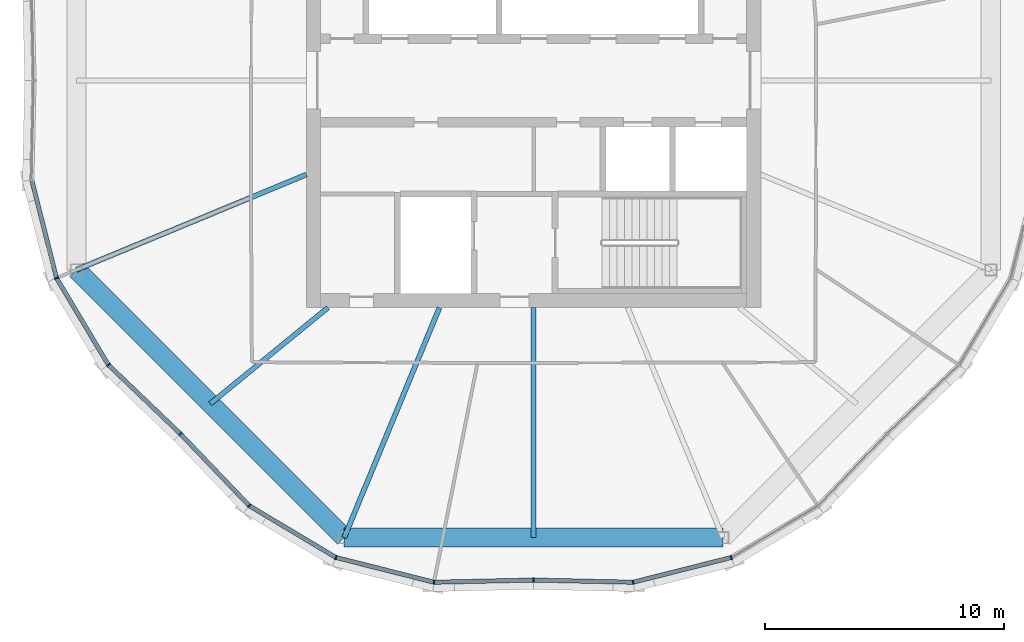
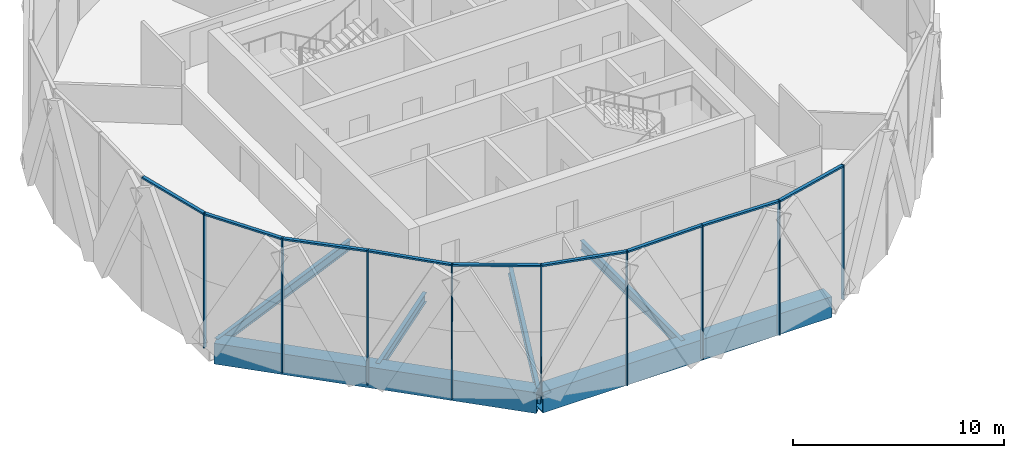
# One storey, part 3 of 26: 18 members, 6 beams, 3 elements without a shape of their own.
"""IFC4 building model written with IfcOpenShell, lengths in metres."""

from ifc_helpers import new_model, si_unit, direction, frame, origin, origin_2d, place, context, subcontext, project, spatial, rectangle, hollow_rectangle, i_section, extrude, material, material_profile, profile_set, type_object, element, aggregate, save


model = new_model("IFC4")

# Units and contexts
model_context = context("Model", 3, precision=1e-05, world=origin(), true_north=direction((0.0, 1.0)))
body_context = subcontext(model_context, "Body", "Model", "MODEL_VIEW")
ifc_project = project(units=[si_unit("LENGTHUNIT", "METRE"), si_unit("AREAUNIT", "SQUARE_METRE"), si_unit("VOLUMEUNIT", "CUBIC_METRE"), si_unit("PLANEANGLEUNIT", "RADIAN"), si_unit("MASSUNIT", "GRAM", prefix="KILO")], contexts=[model_context])

# Site, building, storey
site_placement = place(None, origin())
site = spatial("IfcSite", under=ifc_project, at=site_placement, CompositionType="ELEMENT")
building_placement = place(site_placement, origin())
building = spatial("IfcBuilding", under=site, at=building_placement, Name="Ogive Gate Towers", CompositionType="ELEMENT")
storey_placement = place(building_placement, frame((0.0, 0.0, 208.5)))
storey = spatial("IfcBuildingStorey", under=building, at=storey_placement, Name="L50", CompositionType="ELEMENT", Elevation=208.5)

# Beams
ifc_material_1 = material(Name="Steel SM460", Category="steel")
ifc_material_profile_1 = material_profile(ifc_material_1, hollow_rectangle(XDim=0.800048828125, YDim=1.199951171875, WallThickness=0.050048828125, at=origin_2d()), Name="BX 1200x800x50")
ifc_profile_set_1 = profile_set([ifc_material_profile_1], Name="Steel SM460")
beam_type_1 = type_object("IfcBeamType", Name="Edge girder BX 1200x800x50", PredefinedType="BEAM", material=ifc_profile_set_1)
beam_1_placement = place(storey_placement, frame((-55.114990234375, -7.917724609375, -0.89990234375), z_axis=(0.707106781187, -0.707106781187, 0.0), x_axis=(0.707106781187, 0.707106781187, 0.0)))
element("IfcBeam", 1, at=beam_1_placement, inside=storey, type_object=beam_type_1, Name="T1/L50/SBM017", PredefinedType="BEAM", context=body_context, shape_type="SweptSolid", body=[
    extrude(hollow_rectangle(XDim=0.800048828125, YDim=1.199951171875, WallThickness=0.050048828125, at=origin_2d()), origin(), (0.0, 0.0, 1.0), 15.835205078125),
])
beam_2_placement = place(storey_placement, frame((-43.917724609375, -19.114990234375, -0.89990234375), z_axis=(1.0, 0.0, 0.0), x_axis=(0.0, 1.0, 0.0)))
element("IfcBeam", 2, at=beam_2_placement, inside=storey, type_object=beam_type_1, Name="T1/L50/SBM018", PredefinedType="BEAM", context=body_context, shape_type="SweptSolid", body=[
    extrude(hollow_rectangle(XDim=0.800048828125, YDim=1.199951171875, WallThickness=0.050048828125, at=origin_2d()), origin(), (0.0, 0.0, 1.0), 15.83544921875),
])
ifc_material_2 = material(Name="Steel SM355", Category="steel")
ifc_material_profile_2 = material_profile(ifc_material_2, i_section(OverallWidth=0.2099609375, OverallDepth=0.550048828125, WebThickness=0.010986328125, FlangeThickness=0.01708984375, FilletRadius=0.02392578125, at=origin_2d()), Name="IPE 550")
ifc_profile_set_2 = profile_set([ifc_material_profile_2], Name="Steel SM355")
beam_type_2 = type_object("IfcBeamType", Name="Radial floor beam IPE 550", PredefinedType="BEAM", material=ifc_profile_set_2)
beam_3_placement = place(storey_placement, frame((-45.5, -3.93505859375, -0.574951171875), z_axis=(-0.92387930631, -0.382683978464, 0.0), x_axis=(0.382683978464, -0.92387930631, 0.0)))
element("IfcBeam", 3, at=beam_3_placement, inside=storey, type_object=beam_type_2, Name="T1/L50/SBM001", PredefinedType="BEAM", context=body_context, shape_type="SweptSolid", body=[
    extrude(i_section(OverallWidth=0.2099609375, OverallDepth=0.550048828125, WebThickness=0.010986328125, FlangeThickness=0.01708984375, FilletRadius=0.02392578125, at=origin_2d()), origin(), (0.0, 0.0, 1.0), 10.4072265625),
])
beam_4_placement = place(storey_placement, frame((-44.60009765625, -9.5, -0.574951171875), z_axis=(-0.77442315148, -0.632667987535, 0.0), x_axis=(0.632667987535, -0.77442315148, 0.0)))
element("IfcBeam", 4, at=beam_4_placement, inside=storey, type_object=beam_type_2, Name="T1/L50/SBM002", PredefinedType="BEAM", context=body_context, shape_type="SweptSolid", body=[
    extrude(i_section(OverallWidth=0.2099609375, OverallDepth=0.550048828125, WebThickness=0.010986328125, FlangeThickness=0.01708984375, FilletRadius=0.02392578125, at=origin_2d()), origin(), (0.0, 0.0, 1.0), 6.348388671875),
])
beam_5_placement = place(storey_placement, frame((-39.93505859375, -9.5, -0.574951171875), z_axis=(-0.382683978464, -0.92387930631, 0.0), x_axis=(0.92387930631, -0.382683978464, 0.0)))
element("IfcBeam", 5, at=beam_5_placement, inside=storey, type_object=beam_type_2, Name="T1/L50/SBM003", PredefinedType="BEAM", context=body_context, shape_type="SweptSolid", body=[
    extrude(i_section(OverallWidth=0.2099609375, OverallDepth=0.550048828125, WebThickness=0.010986328125, FlangeThickness=0.01708984375, FilletRadius=0.02392578125, at=origin_2d()), origin(), (0.0, 0.0, 1.0), 10.4072265625),
])
beam_6_placement = place(storey_placement, frame((-36.0, -9.5, -0.574951171875), z_axis=(0.0, -1.0, 0.0), x_axis=(1.0, 0.0, 0.0)))
element("IfcBeam", 6, at=beam_6_placement, inside=storey, type_object=beam_type_2, Name="T1/L50/SBM004", PredefinedType="BEAM", context=body_context, shape_type="SweptSolid", body=[
    extrude(i_section(OverallWidth=0.2099609375, OverallDepth=0.550048828125, WebThickness=0.010986328125, FlangeThickness=0.01708984375, FilletRadius=0.02392578125, at=origin_2d()), origin(), (0.0, 0.0, 1.0), 9.614990234375),
])

# Curtain wall, members
ifc_material_3 = material(Name="Pale metal aluminium", Category="aluminium")
curtain_wall_type = type_object("IfcCurtainWallType", Name="Tower unitised wall, high zone", PredefinedType="NOTDEFINED", material=ifc_material_3)
curtain_wall_1_placement = place(storey_placement, origin())
curtain_wall_1 = element("IfcCurtainWall", 7, at=curtain_wall_1_placement, inside=storey, type_object=curtain_wall_type, Name="CW2 T1 ECW05", PredefinedType="NOTDEFINED")
ifc_material_profile_3 = material_profile(ifc_material_3, rectangle(XDim=0.179931640625, YDim=0.06005859375, at=origin_2d()), Name="60 x 180 aluminium box")
ifc_profile_set_3 = profile_set([ifc_material_profile_3], Name="Pale metal aluminium")
member_type_1 = type_object("IfcMemberType", Name="Tower unitised wall, high zone mullion 60 x 180", PredefinedType="MULLION", material=ifc_profile_set_3)
member_1_placement = place(storey_placement, frame((-55.947509765625, -8.2626953125, -0.300048828125), z_axis=(0.0, 0.0, 1.0), x_axis=(-0.923879532511, -0.382683432365, 0.0)))
member_1 = element("IfcMember", 8, at=member_1_placement, type_object=member_type_1, Name="CW2 mullion", PredefinedType="MULLION", context=body_context, shape_type="SweptSolid", body=[
    extrude(rectangle(XDim=0.179931640625, YDim=0.06005859375, at=origin_2d()), origin(), (0.0, 0.0, 1.0), 7.800048828125),
])
member_2_placement = place(storey_placement, frame((-53.781494140625, -11.890380859375, -0.300048828125), z_axis=(0.0, 0.0, 1.0), x_axis=(-0.782097241889, -0.623156404308, 0.0)))
member_2 = element("IfcMember", 9, at=member_2_placement, type_object=member_type_1, Name="CW2 mullion", PredefinedType="MULLION", context=body_context, shape_type="SweptSolid", body=[
    extrude(rectangle(XDim=0.179931640625, YDim=0.06005859375, at=origin_2d()), origin(), (0.0, 0.0, 1.0), 7.800048828125),
])
member_3_placement = place(storey_placement, frame((-50.771484375, -14.771240234375, -0.300048828125), z_axis=(0.0, 0.0, 1.0), x_axis=(-0.691500448047, -0.722376031129, 0.0)))
member_3 = element("IfcMember", 10, at=member_3_placement, type_object=member_type_1, Name="CW2 mullion", PredefinedType="MULLION", context=body_context, shape_type="SweptSolid", body=[
    extrude(rectangle(XDim=0.179931640625, YDim=0.06005859375, at=origin_2d()), origin(), (0.0, 0.0, 1.0), 7.800048828125),
])

curtain_wall_2_placement = place(storey_placement, origin())
curtain_wall_2 = element("IfcCurtainWall", 11, at=curtain_wall_2_placement, inside=storey, type_object=curtain_wall_type, Name="CW2 T1 ECW06", PredefinedType="NOTDEFINED")
member_4_placement = place(storey_placement, frame((-47.890380859375, -17.781494140625, -0.300048828125), z_axis=(0.0, 0.0, 1.0), x_axis=(-0.623156404308, -0.782097241889, 0.0)))
member_4 = element("IfcMember", 12, at=member_4_placement, type_object=member_type_1, Name="CW2 mullion", PredefinedType="MULLION", context=body_context, shape_type="SweptSolid", body=[
    extrude(rectangle(XDim=0.179931640625, YDim=0.06005859375, at=origin_2d()), origin(), (0.0, 0.0, 1.0), 7.800048828125),
])
member_5_placement = place(storey_placement, frame((-44.2626953125, -19.947509765625, -0.300048828125), z_axis=(0.0, 0.0, 1.0), x_axis=(-0.382683432365, -0.923879532511, 0.0)))
member_5 = element("IfcMember", 13, at=member_5_placement, type_object=member_type_1, Name="CW2 mullion", PredefinedType="MULLION", context=body_context, shape_type="SweptSolid", body=[
    extrude(rectangle(XDim=0.179931640625, YDim=0.06005859375, at=origin_2d()), origin(), (0.0, 0.0, 1.0), 7.800048828125),
])
member_6_placement = place(storey_placement, frame((-40.165771484375, -20.981201171875, -0.300048828125), z_axis=(0.0, 0.0, 1.0), x_axis=(-0.112405486759, -0.993662420818, 0.0)))
member_6 = element("IfcMember", 14, at=member_6_placement, type_object=member_type_1, Name="CW2 mullion", PredefinedType="MULLION", context=body_context, shape_type="SweptSolid", body=[
    extrude(rectangle(XDim=0.179931640625, YDim=0.06005859375, at=origin_2d()), origin(), (0.0, 0.0, 1.0), 7.800048828125),
])
member_7_placement = place(storey_placement, frame((-36.000244140625, -20.889892578125, -0.300048828125), z_axis=(0.0, 0.0, 1.0), x_axis=(0.02183233417, -0.999761646186, 0.0)))
member_7 = element("IfcMember", 15, at=member_7_placement, type_object=member_type_1, Name="CW2 mullion", PredefinedType="MULLION", context=body_context, shape_type="SweptSolid", body=[
    extrude(rectangle(XDim=0.179931640625, YDim=0.06005859375, at=origin_2d()), origin(), (0.0, 0.0, 1.0), 7.800048828125),
])

curtain_wall_3_placement = place(storey_placement, origin())
curtain_wall_3 = element("IfcCurtainWall", 16, at=curtain_wall_3_placement, inside=storey, type_object=curtain_wall_type, Name="CW2 T1 ECW07", PredefinedType="NOTDEFINED")
member_8_placement = place(storey_placement, frame((-31.834228515625, -20.981201171875, -0.300048828125), z_axis=(0.0, 0.0, 1.0), x_axis=(0.112405486759, -0.993662420818, 0.0)))
member_8 = element("IfcMember", 17, at=member_8_placement, type_object=member_type_1, Name="CW2 mullion", PredefinedType="MULLION", context=body_context, shape_type="SweptSolid", body=[
    extrude(rectangle(XDim=0.179931640625, YDim=0.06005859375, at=origin_2d()), origin(), (0.0, 0.0, 1.0), 7.800048828125),
])
member_9_placement = place(storey_placement, frame((-27.7373046875, -19.947509765625, -0.300048828125), z_axis=(0.0, 0.0, 1.0), x_axis=(0.382683432365, -0.923879532511, 0.0)))
member_9 = element("IfcMember", 18, at=member_9_placement, type_object=member_type_1, Name="CW2 mullion", PredefinedType="MULLION", context=body_context, shape_type="SweptSolid", body=[
    extrude(rectangle(XDim=0.179931640625, YDim=0.06005859375, at=origin_2d()), origin(), (0.0, 0.0, 1.0), 7.800048828125),
])

# Member
ifc_material_profile_4 = material_profile(ifc_material_3, rectangle(XDim=0.179931640625, YDim=0.10009765625, at=origin_2d()), Name="100 x 180 aluminium box")
ifc_profile_set_4 = profile_set([ifc_material_profile_4], Name="Pale metal aluminium")
member_type_2 = type_object("IfcMemberType", Name="Tower unitised wall, high zone transom 100 x 180", PredefinedType="USERDEFINED", material=ifc_profile_set_4)
member_10_placement = place(storey_placement, frame((-56.97412109375, -4.193359375, 7.449951171875), z_axis=(0.244657437312, -0.969609580382, 0.0), x_axis=(0.969609580382, 0.244657437312, 0.0)))
member_10 = element("IfcMember", 19, at=member_10_placement, type_object=member_type_2, Name="CW2 transom", ObjectType="TRANSOM", PredefinedType="USERDEFINED", context=body_context, shape_type="SweptSolid", body=[
    extrude(rectangle(XDim=0.179931640625, YDim=0.10009765625, at=origin_2d()), origin(), (0.0, 0.0, 1.0), 4.168212890625),
])

member_11_placement = place(storey_placement, frame((-55.932861328125, -8.287109375, 7.449951171875), z_axis=(0.512720130278, -0.858555803666, 0.0), x_axis=(0.858555803666, 0.512720130278, 0.0)))
member_11 = element("IfcMember", 20, at=member_11_placement, type_object=member_type_2, Name="CW2 transom", ObjectType="TRANSOM", PredefinedType="USERDEFINED", context=body_context, shape_type="SweptSolid", body=[
    extrude(rectangle(XDim=0.179931640625, YDim=0.10009765625, at=origin_2d()), origin(), (0.0, 0.0, 1.0), 4.16796875),
])

member_12_placement = place(storey_placement, frame((-53.760498046875, -11.909912109375, 7.449951171875), z_axis=(0.722361700823, -0.691515417893, 0.0), x_axis=(0.691515417893, 0.722361700823, 0.0)))
member_12 = element("IfcMember", 21, at=member_12_placement, type_object=member_type_2, Name="CW2 transom", ObjectType="TRANSOM", PredefinedType="USERDEFINED", context=body_context, shape_type="SweptSolid", body=[
    extrude(rectangle(XDim=0.179931640625, YDim=0.10009765625, at=origin_2d()), origin(), (0.0, 0.0, 1.0), 4.107666015625),
])

aggregate(curtain_wall_1, [member_1, member_10, member_2, member_11, member_3, member_12])

member_13_placement = place(storey_placement, frame((-50.75048828125, -14.793212890625, 7.449951171875), z_axis=(0.691515417893, -0.722361700823, 0.0), x_axis=(0.722361700823, 0.691515417893, 0.0)))
member_13 = element("IfcMember", 22, at=member_13_placement, type_object=member_type_2, Name="CW2 transom", ObjectType="TRANSOM", PredefinedType="USERDEFINED", context=body_context, shape_type="SweptSolid", body=[
    extrude(rectangle(XDim=0.179931640625, YDim=0.10009765625, at=origin_2d()), origin(), (0.0, 0.0, 1.0), 4.107666015625),
])

member_14_placement = place(storey_placement, frame((-47.865478515625, -17.7958984375, 7.449951171875), z_axis=(0.858555803666, -0.512720130278, 0.0), x_axis=(0.512720130278, 0.858555803666, 0.0)))
member_14 = element("IfcMember", 23, at=member_14_placement, type_object=member_type_2, Name="CW2 transom", ObjectType="TRANSOM", PredefinedType="USERDEFINED", context=body_context, shape_type="SweptSolid", body=[
    extrude(rectangle(XDim=0.179931640625, YDim=0.10009765625, at=origin_2d()), origin(), (0.0, 0.0, 1.0), 4.16796875),
])

member_15_placement = place(storey_placement, frame((-44.23486328125, -19.954345703125, 7.449951171875), z_axis=(0.969609580382, -0.244657437312, 0.0), x_axis=(0.244657437312, 0.969609580382, 0.0)))
member_15 = element("IfcMember", 24, at=member_15_placement, type_object=member_type_2, Name="CW2 transom", ObjectType="TRANSOM", PredefinedType="USERDEFINED", context=body_context, shape_type="SweptSolid", body=[
    extrude(rectangle(XDim=0.179931640625, YDim=0.10009765625, at=origin_2d()), origin(), (0.0, 0.0, 1.0), 4.168212890625),
])

member_16_placement = place(storey_placement, frame((-40.136962890625, -20.980224609375, 7.449951171875), z_axis=(0.999762073128, 0.021812774558, 0.0), x_axis=(-0.021812774558, 0.999762073128, 0.0)))
member_16 = element("IfcMember", 25, at=member_16_placement, type_object=member_type_2, Name="CW2 transom", ObjectType="TRANSOM", PredefinedType="USERDEFINED", context=body_context, shape_type="SweptSolid", body=[
    extrude(rectangle(XDim=0.179931640625, YDim=0.10009765625, at=origin_2d()), origin(), (0.0, 0.0, 1.0), 4.107666015625),
])

aggregate(curtain_wall_2, [member_4, member_13, member_5, member_14, member_6, member_15, member_7, member_16])

member_17_placement = place(storey_placement, frame((-35.9697265625, -20.890625, 7.449951171875), z_axis=(0.999762073128, -0.021812774558, 0.0), x_axis=(0.021812774558, 0.999762073128, 0.0)))
member_17 = element("IfcMember", 26, at=member_17_placement, type_object=member_type_2, Name="CW2 transom", ObjectType="TRANSOM", PredefinedType="USERDEFINED", context=body_context, shape_type="SweptSolid", body=[
    extrude(rectangle(XDim=0.179931640625, YDim=0.10009765625, at=origin_2d()), origin(), (0.0, 0.0, 1.0), 4.107666015625),
])

member_18_placement = place(storey_placement, frame((-31.806640625, -20.97412109375, 7.449951171875), z_axis=(0.969609580382, 0.244657437312, 0.0), x_axis=(-0.244657437312, 0.969609580382, 0.0)))
member_18 = element("IfcMember", 27, at=member_18_placement, type_object=member_type_2, Name="CW2 transom", ObjectType="TRANSOM", PredefinedType="USERDEFINED", context=body_context, shape_type="SweptSolid", body=[
    extrude(rectangle(XDim=0.179931640625, YDim=0.10009765625, at=origin_2d()), origin(), (0.0, 0.0, 1.0), 4.168212890625),
])

aggregate(curtain_wall_3, [member_8, member_17, member_9, member_18])

save(model, "model.ifc")
